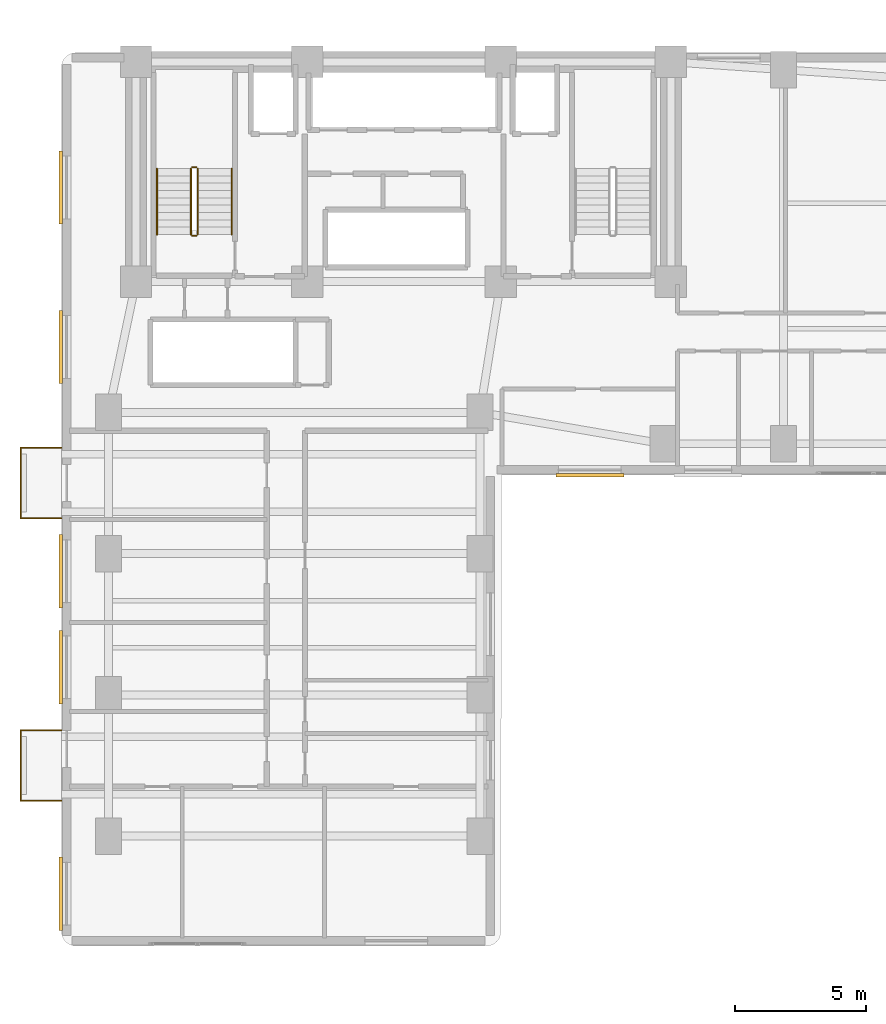
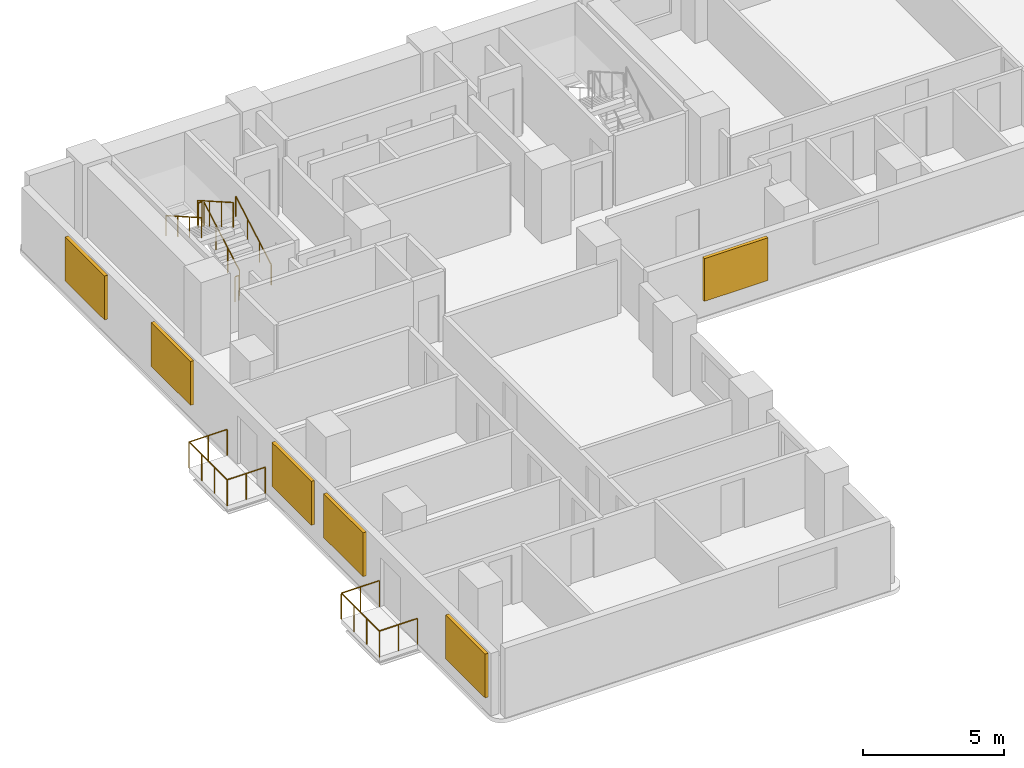
# One storey, part 15 of 18: 12 railings, 6 shading devices.
"""IFC4 building model written with IfcOpenShell, lengths in metres."""

import ifcopenshell
import ifcopenshell.guid

model = None  # the IFC model being written
_history = None  # IfcOwnerHistory: only IFC2X3 demands one
_inside = {}  # id of a spatial element -> (the spatial element, [elements in it])
_under = {}  # id of a project, library or spatial element -> (it, [spatial elements below it])
_declared = {}  # id of a project -> (the project, [libraries it declares])
_typed = {}  # id of a type object -> (the type object, [elements of that type])
_made_of = {}  # id of a material, layer set ... -> (it, [elements and type objects made of it])


def new_model(schema):
    """Start an empty IFC model of exactly this schema.

    Asked for "IFC4X3", IfcOpenShell would pick the latest addendum, in which some entities
    have other attributes; the version numbers below select the first issue.
    IFC2X3 requires an IfcOwnerHistory on every rooted entity: one is made here for all.
    """
    global model, _history
    if schema == "IFC4X3":
        model = ifcopenshell.file(schema_version=(4, 3, 0, 0))
    else:
        model = ifcopenshell.file(schema=schema)
    _inside.clear()
    _under.clear()
    _declared.clear()
    _typed.clear()
    _made_of.clear()
    _history = None
    if model.schema == "IFC2X3":
        org = make("IfcOrganization", Name="unknown")
        user = make(
            "IfcPersonAndOrganization",
            ThePerson=make("IfcPerson", FamilyName="unknown"),
            TheOrganization=org,
        )
        app = make(
            "IfcApplication",
            ApplicationDeveloper=org,
            Version="unknown",
            ApplicationFullName="unknown",
            ApplicationIdentifier="unknown",
        )
        _history = make(
            "IfcOwnerHistory",
            OwningUser=user,
            OwningApplication=app,
            ChangeAction="ADDED",
            CreationDate=0,
        )
    return model


def make(cls, **values):
    """One entity of the class cls with the attributes given. An attribute that is None is left unset."""
    return model.create_entity(
        cls, **{name: value for name, value in values.items() if value is not None}
    )


def rooted(cls, **values):
    """An entity with a GlobalId (a new one), such as an element, a storey or a relation."""
    return make(cls, GlobalId=ifcopenshell.guid.new(), OwnerHistory=_history, **values)


def si_unit(unit_type, name, prefix=None):
    """IfcSIUnit, for example si_unit("LENGTHUNIT", "METRE", prefix="MILLI")."""
    return make("IfcSIUnit", UnitType=unit_type, Prefix=prefix, Name=name)


def assignment(units):
    """IfcUnitAssignment: the units of a project."""
    return None if units is None else make("IfcUnitAssignment", Units=units)


def point(xyz):
    """IfcCartesianPoint."""
    return None if xyz is None else make("IfcCartesianPoint", Coordinates=xyz)


def direction(xyz):
    """IfcDirection."""
    return None if xyz is None else make("IfcDirection", DirectionRatios=xyz)


def frame(location, z_axis=None, x_axis=None):
    """IfcAxis2Placement3D, a coordinate frame: its origin and axes. An axis left out is left unset."""
    return make(
        "IfcAxis2Placement3D",
        Location=point(location),
        Axis=direction(z_axis),
        RefDirection=direction(x_axis),
    )


def frame_2d(location, x_axis=None):
    """IfcAxis2Placement2D, a coordinate frame in the plane: its origin and x axis."""
    return make(
        "IfcAxis2Placement2D", Location=point(location), RefDirection=direction(x_axis)
    )


def origin():
    """The frame at (0, 0, 0) with its axes left unset."""
    return frame((0.0, 0.0, 0.0))


def origin_2d():
    """The frame at (0, 0) in the plane with its x axis left unset."""
    return frame_2d((0.0, 0.0))


def place(relative_to, where):
    """IfcLocalPlacement: puts the frame where relative to a parent placement (None: the world)."""
    return make(
        "IfcLocalPlacement", PlacementRelTo=relative_to, RelativePlacement=where
    )


def context(
    kind, dimensions, precision=None, world=None, true_north=None, identifier=None
):
    """IfcGeometricRepresentationContext, for example the 3D "Model" context."""
    return make(
        "IfcGeometricRepresentationContext",
        ContextIdentifier=identifier,
        ContextType=kind,
        CoordinateSpaceDimension=dimensions,
        Precision=precision,
        WorldCoordinateSystem=world,
        TrueNorth=true_north,
    )


def subcontext(parent, identifier, kind, view, scale=None):
    """IfcGeometricRepresentationSubContext, for example "Body" below "Model"."""
    return make(
        "IfcGeometricRepresentationSubContext",
        ContextIdentifier=identifier,
        ContextType=kind,
        ParentContext=parent,
        TargetScale=scale,
        TargetView=view,
    )


def project(units=None, contexts=None):
    """IfcProject with its units and contexts."""
    return rooted(
        "IfcProject",
        Name="project",
        RepresentationContexts=contexts,
        UnitsInContext=assignment(units),
    )


def spatial(cls, under=None, at=None, **own):
    """A site, building, storey or space (cls), placed at a placement, below another one or the project."""
    s = rooted(cls, ObjectPlacement=at, **own)
    if under is not None:
        _under.setdefault(under.id(), (under, []))[1].append(s)
    return s


def profile(cls, at=None, kind="AREA", **sizes):
    """A parametric profile (cls). Its sizes go by their IFC names, for example OverallWidth=200.0."""
    return make(cls, ProfileType=kind, Position=at, **sizes)


def rectangle(**sizes):
    """IfcRectangleProfileDef."""
    return profile("IfcRectangleProfileDef", **sizes)


def circle(**sizes):
    """IfcCircleProfileDef."""
    return profile("IfcCircleProfileDef", **sizes)


def extrude(swept, where, along, depth):
    """IfcExtrudedAreaSolid: the profile swept, set in the frame where, extruded along a direction by depth."""
    return make(
        "IfcExtrudedAreaSolid",
        SweptArea=swept,
        Position=where,
        ExtrudedDirection=direction(along),
        Depth=depth,
    )


def shape(context_of_items, identifier, shape_type, items):
    """IfcShapeRepresentation: the items that make up one representation, for example the "Body"."""
    return make(
        "IfcShapeRepresentation",
        ContextOfItems=context_of_items,
        RepresentationIdentifier=identifier,
        RepresentationType=shape_type,
        Items=items,
    )


def material(Name=None, Category=None):
    """IfcMaterial."""
    return make("IfcMaterial", Name=Name, Category=Category)


def layer(
    of_material, thickness, ventilated=None, Name=None, Category=None, Priority=None
):
    """IfcMaterialLayer: one layer of a wall or slab, of a material (None: an air gap)."""
    return make(
        "IfcMaterialLayer",
        Material=of_material,
        LayerThickness=thickness,
        IsVentilated=ventilated,
        Name=Name,
        Category=Category,
        Priority=Priority,
    )


def layer_set(layers, Name=None):
    """IfcMaterialLayerSet."""
    return make("IfcMaterialLayerSet", MaterialLayers=layers, LayerSetName=Name)


def made_of(thing, what):
    """Note that an element or type object is made of a material, layer set ...; save() writes the relation."""
    if what is not None:
        _made_of.setdefault(what.id(), (what, []))[1].append(thing)
    return thing


def type_object(cls, material=None, **own):
    """A type object (cls), such as IfcWallType, which elements share."""
    return made_of(rooted(cls, **own), material)


def element(
    cls,
    number,
    at=None,
    inside=None,
    cuts=None,
    type_object=None,
    material=None,
    context=None,
    identifier="Body",
    shape_type=None,
    held_by="IfcProductDefinitionShape",
    body=None,
    shapes=None,
    **own,
):
    """One element of the class cls, such as IfcWall. Its Tag is "e" and its number.

    at: its placement. inside: the storey or other place that contains it. cuts: it is an
    opening in that element (IfcRelVoidsElement). A single representation is given by context,
    identifier, shape_type and body (its items); several are given by shapes. held_by: the class
    of the entity that holds the representations. save() writes the other relations.
    """
    e = rooted(cls, Tag="e%d" % number, ObjectPlacement=at, **own)
    if body is not None:
        shapes = [shape(context, identifier, shape_type, body)]
    if shapes is not None:
        e.Representation = make(held_by, Representations=shapes)
    if inside is not None:
        _inside.setdefault(inside.id(), (inside, []))[1].append(e)
    if cuts is not None:
        rooted(
            "IfcRelVoidsElement", RelatingBuildingElement=cuts, RelatedOpeningElement=e
        )
    if type_object is not None:
        _typed.setdefault(type_object.id(), (type_object, []))[1].append(e)
    return made_of(e, material)


def aggregate(whole, parts):
    """IfcRelAggregates: a whole, such as a stair, and the parts it consists of."""
    return rooted("IfcRelAggregates", RelatingObject=whole, RelatedObjects=parts)


def save(model, path):
    """Write the relations noted so far, then the file.

    IfcRelAggregates (storeys below a building ...), IfcRelContainedInSpatialStructure (elements
    in a storey), IfcRelDefinesByType, IfcRelAssociatesMaterial and IfcRelDeclares: one each for
    every whole, place, type object, material and project.
    """
    for whole, parts in _under.values():
        aggregate(whole, parts)
    for where, things in _inside.values():
        rooted(
            "IfcRelContainedInSpatialStructure",
            RelatedElements=things,
            RelatingStructure=where,
        )
    for kind, things in _typed.values():
        rooted("IfcRelDefinesByType", RelatedObjects=things, RelatingType=kind)
    for what, things in _made_of.values():
        rooted("IfcRelAssociatesMaterial", RelatedObjects=things, RelatingMaterial=what)
    for by, libraries in _declared.values():
        rooted("IfcRelDeclares", RelatingContext=by, RelatedDefinitions=libraries)
    model.write(path)


model = new_model("IFC4")

# Units and contexts
model_context = context("Model", 3, precision=1e-05, world=origin(), true_north=direction((0.0, 1.0)))
body_context = subcontext(model_context, "Body", "Model", "MODEL_VIEW")
ifc_project = project(units=[si_unit("LENGTHUNIT", "METRE"), si_unit("AREAUNIT", "SQUARE_METRE"), si_unit("VOLUMEUNIT", "CUBIC_METRE"), si_unit("PLANEANGLEUNIT", "RADIAN"), si_unit("MASSUNIT", "GRAM", prefix="KILO")], contexts=[model_context])

# Site, building, storey
site_placement = place(None, origin())
site = spatial("IfcSite", under=ifc_project, at=site_placement, CompositionType="ELEMENT")
building_placement = place(site_placement, origin())
building = spatial("IfcBuilding", under=site, at=building_placement, Name="Kuzgunbayir Cultural Tower", CompositionType="ELEMENT")
storey_placement = place(building_placement, frame((0.0, 0.0, 53.199951171875)))
storey = spatial("IfcBuildingStorey", under=building, at=storey_placement, Name="L14", CompositionType="ELEMENT", Elevation=53.199951171875)

# Railings
ifc_material_1 = material(Name="Laminated Glass and Stainless Steel", Category="steel")
ifc_layer_1 = layer(ifc_material_1, 0.080078125)
ifc_layer_set_1 = layer_set([ifc_layer_1], Name="Laminated Glass and Stainless Steel")
railing_type_1 = type_object("IfcRailingType", Name="RLG-BAL-115", PredefinedType="BALUSTRADE", material=ifc_layer_set_1)
railing_1_placement = place(storey_placement, frame((3.60009765625, 13.949951171875, 0.0)))
element("IfcRailing", 1, at=railing_1_placement, inside=storey, type_object=railing_type_1, Name="L14 Balcony Guard BAL-L14-WA1 Segment 1", PredefinedType="BALUSTRADE", context=body_context, shape_type="SweptSolid", body=[
    extrude(circle(Radius=0.02392578125, at=origin_2d()), frame((0.0, 0.0, 1.1259765625), z_axis=(-1.0, 0.0, 0.0), x_axis=(0.0, -1.0, 0.0)), (0.0, 0.0, 1.0), 1.56005859375),
    extrude(circle(Radius=0.02099609375, at=origin_2d()), origin(), (0.0, 0.0, 1.0), 1.101806640625),
    extrude(circle(Radius=0.02099609375, at=origin_2d()), frame((-0.780029296875, 0.0, 0.0)), (0.0, 0.0, 1.0), 1.101806640625),
    extrude(circle(Radius=0.02099609375, at=origin_2d()), frame((-1.56005859375, 0.0, 0.0)), (0.0, 0.0, 1.0), 1.101806640625),
])
railing_2_placement = place(storey_placement, frame((2.0400390625, 13.949951171875, 0.0)))
element("IfcRailing", 2, at=railing_2_placement, inside=storey, type_object=railing_type_1, Name="L14 Balcony Guard BAL-L14-WA1 Segment 2", PredefinedType="BALUSTRADE", context=body_context, shape_type="SweptSolid", body=[
    extrude(circle(Radius=0.02392578125, at=origin_2d()), frame((0.0, 0.0, 1.1259765625), z_axis=(0.0, 1.0, 0.0), x_axis=(-1.0, 0.0, 0.0)), (0.0, 0.0, 1.0), 2.699951171875),
    extrude(circle(Radius=0.02099609375, at=origin_2d()), origin(), (0.0, 0.0, 1.0), 1.101806640625),
    extrude(circle(Radius=0.02099609375, at=origin_2d()), frame((0.0, 0.89990234375, 0.0)), (0.0, 0.0, 1.0), 1.101806640625),
    extrude(circle(Radius=0.02099609375, at=origin_2d()), frame((0.0, 1.800048828125, 0.0)), (0.0, 0.0, 1.0), 1.101806640625),
    extrude(circle(Radius=0.02099609375, at=origin_2d()), frame((0.0, 2.699951171875, 0.0)), (0.0, 0.0, 1.0), 1.101806640625),
])
railing_3_placement = place(storey_placement, frame((2.0400390625, 16.64990234375, 0.0)))
element("IfcRailing", 3, at=railing_3_placement, inside=storey, type_object=railing_type_1, Name="L14 Balcony Guard BAL-L14-WA1 Segment 3", PredefinedType="BALUSTRADE", context=body_context, shape_type="SweptSolid", body=[
    extrude(circle(Radius=0.02392578125, at=origin_2d()), frame((0.0, 0.0, 1.1259765625), z_axis=(1.0, 0.0, 0.0), x_axis=(0.0, 1.0, 0.0)), (0.0, 0.0, 1.0), 1.56005859375),
    extrude(circle(Radius=0.02099609375, at=origin_2d()), origin(), (0.0, 0.0, 1.0), 1.101806640625),
    extrude(circle(Radius=0.02099609375, at=origin_2d()), frame((0.780029296875, 0.0, 0.0)), (0.0, 0.0, 1.0), 1.101806640625),
    extrude(circle(Radius=0.02099609375, at=origin_2d()), frame((1.56005859375, 0.0, 0.0)), (0.0, 0.0, 1.0), 1.101806640625),
])
railing_4_placement = place(storey_placement, frame((3.60009765625, 24.75, 0.0)))
element("IfcRailing", 4, at=railing_4_placement, inside=storey, type_object=railing_type_1, Name="L14 Balcony Guard BAL-L14-WA3 Segment 1", PredefinedType="BALUSTRADE", context=body_context, shape_type="SweptSolid", body=[
    extrude(circle(Radius=0.02392578125, at=origin_2d()), frame((0.0, 0.0, 1.1259765625), z_axis=(-1.0, 0.0, 0.0), x_axis=(0.0, -1.0, 0.0)), (0.0, 0.0, 1.0), 1.56005859375),
    extrude(circle(Radius=0.02099609375, at=origin_2d()), origin(), (0.0, 0.0, 1.0), 1.101806640625),
    extrude(circle(Radius=0.02099609375, at=origin_2d()), frame((-0.780029296875, 0.0, 0.0)), (0.0, 0.0, 1.0), 1.101806640625),
    extrude(circle(Radius=0.02099609375, at=origin_2d()), frame((-1.56005859375, 0.0, 0.0)), (0.0, 0.0, 1.0), 1.101806640625),
])
railing_5_placement = place(storey_placement, frame((2.0400390625, 24.75, 0.0)))
element("IfcRailing", 5, at=railing_5_placement, inside=storey, type_object=railing_type_1, Name="L14 Balcony Guard BAL-L14-WA3 Segment 2", PredefinedType="BALUSTRADE", context=body_context, shape_type="SweptSolid", body=[
    extrude(circle(Radius=0.02392578125, at=origin_2d()), frame((0.0, 0.0, 1.1259765625), z_axis=(0.0, 1.0, 0.0), x_axis=(-1.0, 0.0, 0.0)), (0.0, 0.0, 1.0), 2.699951171875),
    extrude(circle(Radius=0.02099609375, at=origin_2d()), origin(), (0.0, 0.0, 1.0), 1.101806640625),
    extrude(circle(Radius=0.02099609375, at=origin_2d()), frame((0.0, 0.89990234375, 0.0)), (0.0, 0.0, 1.0), 1.101806640625),
    extrude(circle(Radius=0.02099609375, at=origin_2d()), frame((0.0, 1.800048828125, 0.0)), (0.0, 0.0, 1.0), 1.101806640625),
    extrude(circle(Radius=0.02099609375, at=origin_2d()), frame((0.0, 2.699951171875, 0.0)), (0.0, 0.0, 1.0), 1.101806640625),
])
railing_6_placement = place(storey_placement, frame((2.0400390625, 27.449951171875, 0.0)))
element("IfcRailing", 6, at=railing_6_placement, inside=storey, type_object=railing_type_1, Name="L14 Balcony Guard BAL-L14-WA3 Segment 3", PredefinedType="BALUSTRADE", context=body_context, shape_type="SweptSolid", body=[
    extrude(circle(Radius=0.02392578125, at=origin_2d()), frame((0.0, 0.0, 1.1259765625), z_axis=(1.0, 0.0, 0.0), x_axis=(0.0, 1.0, 0.0)), (0.0, 0.0, 1.0), 1.56005859375),
    extrude(circle(Radius=0.02099609375, at=origin_2d()), origin(), (0.0, 0.0, 1.0), 1.101806640625),
    extrude(circle(Radius=0.02099609375, at=origin_2d()), frame((0.780029296875, 0.0, 0.0)), (0.0, 0.0, 1.0), 1.101806640625),
    extrude(circle(Radius=0.02099609375, at=origin_2d()), frame((1.56005859375, 0.0, 0.0)), (0.0, 0.0, 1.0), 1.101806640625),
])
ifc_material_2 = material(Name="Brushed Stainless Steel", Category="steel")
ifc_layer_2 = layer(ifc_material_2, 0.050048828125)
ifc_layer_set_2 = layer_set([ifc_layer_2], Name="Brushed Stainless Steel")
railing_type_2 = type_object("IfcRailingType", Name="RLG-STAIR-HANDRAIL", PredefinedType="HANDRAIL", material=ifc_layer_set_2)
railing_7_placement = place(storey_placement, frame((10.110107421875, 35.60009765625, 0.16015625)))
element("IfcRailing", 7, at=railing_7_placement, inside=storey, type_object=railing_type_2, Name="L14 ST-1 stair handrail 1", PredefinedType="HANDRAIL", context=body_context, shape_type="SweptSolid", body=[
    extrude(circle(Radius=0.02392578125, at=origin_2d()), frame((0.0, 0.0, 0.8759765625), z_axis=(0.0, 0.868253494771, 0.496120820787), x_axis=(-1.0, 0.0, 0.0)), (0.0, 0.0, 1.0), 2.90234375),
    extrude(circle(Radius=0.02099609375, at=origin_2d()), origin(), (0.0, 0.0, 1.0), 0.851806640625),
    extrude(circle(Radius=0.02099609375, at=origin_2d()), frame((0.0, 0.840087890625, 0.47998046875)), (0.0, 0.0, 1.0), 0.851806640625),
    extrude(circle(Radius=0.02099609375, at=origin_2d()), frame((0.0, 1.679931640625, 0.9599609375)), (0.0, 0.0, 1.0), 0.851806640625),
    extrude(circle(Radius=0.02099609375, at=origin_2d()), frame((0.0, 2.52001953125, 1.43994140625)), (0.0, 0.0, 1.0), 0.851806640625),
])
railing_8_placement = place(storey_placement, frame((7.25, 38.1201171875, 1.760009765625)))
element("IfcRailing", 8, at=railing_8_placement, inside=storey, type_object=railing_type_2, Name="L14 ST-1 stair handrail 2", PredefinedType="HANDRAIL", context=body_context, shape_type="SweptSolid", body=[
    extrude(circle(Radius=0.02392578125, at=origin_2d()), frame((0.0, 0.0, 0.8759765625), z_axis=(0.0, -0.868253494771, 0.496120820787), x_axis=(1.0, 0.0, 0.0)), (0.0, 0.0, 1.0), 2.90234375),
    extrude(circle(Radius=0.02099609375, at=origin_2d()), origin(), (0.0, 0.0, 1.0), 0.851806640625),
    extrude(circle(Radius=0.02099609375, at=origin_2d()), frame((0.0, -0.840087890625, 0.47998046875)), (0.0, 0.0, 1.0), 0.851806640625),
    extrude(circle(Radius=0.02099609375, at=origin_2d()), frame((0.0, -1.679931640625, 0.9599609375)), (0.0, 0.0, 1.0), 0.851806640625),
    extrude(circle(Radius=0.02099609375, at=origin_2d()), frame((0.0, -2.52001953125, 1.43994140625)), (0.0, 0.0, 1.0), 0.851806640625),
])
ifc_material_3 = material(Name="Painted Steel Balustrade", Category="steel")
ifc_layer_3 = layer(ifc_material_3, 0.06005859375)
ifc_layer_set_3 = layer_set([ifc_layer_3], Name="Painted Steel Balustrade")
railing_type_3 = type_object("IfcRailingType", Name="RLG-WELL-GUARD", PredefinedType="GUARDRAIL", material=ifc_layer_set_3)
railing_9_placement = place(storey_placement, frame((8.81005859375, 35.60009765625, 0.16015625)))
element("IfcRailing", 9, at=railing_9_placement, inside=storey, type_object=railing_type_3, Name="L14 ST-1 stair guard 1", PredefinedType="GUARDRAIL", context=body_context, shape_type="SweptSolid", body=[
    extrude(circle(Radius=0.02392578125, at=origin_2d()), frame((0.0, 0.0, 1.076171875), z_axis=(0.0, 0.868253494771, 0.496120820787), x_axis=(-1.0, 0.0, 0.0)), (0.0, 0.0, 1.0), 2.90234375),
    extrude(circle(Radius=0.02099609375, at=origin_2d()), origin(), (0.0, 0.0, 1.0), 1.052001953125),
    extrude(circle(Radius=0.02099609375, at=origin_2d()), frame((0.0, 0.840087890625, 0.47998046875)), (0.0, 0.0, 1.0), 1.052001953125),
    extrude(circle(Radius=0.02099609375, at=origin_2d()), frame((0.0, 1.679931640625, 0.9599609375)), (0.0, 0.0, 1.0), 1.052001953125),
    extrude(circle(Radius=0.02099609375, at=origin_2d()), frame((0.0, 2.52001953125, 1.43994140625)), (0.0, 0.0, 1.0), 1.052001953125),
])
railing_10_placement = place(storey_placement, frame((8.760009765625, 38.169921875, 1.60009765625)))
element("IfcRailing", 10, at=railing_10_placement, inside=storey, type_object=railing_type_3, Name="L14 ST-1 stair guard 2", PredefinedType="GUARDRAIL", context=body_context, shape_type="SweptSolid", body=[
    extrude(circle(Radius=0.02392578125, at=origin_2d()), frame((0.0, 0.0, 1.076171875), z_axis=(-1.0, 0.0, 0.0), x_axis=(0.0, -1.0, 0.0)), (0.0, 0.0, 1.0), 0.159912109375),
    extrude(circle(Radius=0.02099609375, at=origin_2d()), origin(), (0.0, 0.0, 1.0), 1.052001953125),
    extrude(circle(Radius=0.02099609375, at=origin_2d()), frame((-0.159912109375, 0.0, 0.0)), (0.0, 0.0, 1.0), 1.052001953125),
])
railing_11_placement = place(storey_placement, frame((8.550048828125, 38.1201171875, 1.760009765625)))
element("IfcRailing", 11, at=railing_11_placement, inside=storey, type_object=railing_type_3, Name="L14 ST-1 stair guard 3", PredefinedType="GUARDRAIL", context=body_context, shape_type="SweptSolid", body=[
    extrude(circle(Radius=0.02392578125, at=origin_2d()), frame((0.0, 0.0, 1.076171875), z_axis=(0.0, -0.868253494771, 0.496120820787), x_axis=(1.0, 0.0, 0.0)), (0.0, 0.0, 1.0), 2.90234375),
    extrude(circle(Radius=0.02099609375, at=origin_2d()), origin(), (0.0, 0.0, 1.0), 1.052001953125),
    extrude(circle(Radius=0.02099609375, at=origin_2d()), frame((0.0, -0.840087890625, 0.47998046875)), (0.0, 0.0, 1.0), 1.052001953125),
    extrude(circle(Radius=0.02099609375, at=origin_2d()), frame((0.0, -1.679931640625, 0.9599609375)), (0.0, 0.0, 1.0), 1.052001953125),
    extrude(circle(Radius=0.02099609375, at=origin_2d()), frame((0.0, -2.52001953125, 1.43994140625)), (0.0, 0.0, 1.0), 1.052001953125),
])
railing_12_placement = place(storey_placement, frame((8.760009765625, 35.550048828125, 0.0)))
element("IfcRailing", 12, at=railing_12_placement, inside=storey, type_object=railing_type_3, Name="L14 ST-1 stair guard 4", PredefinedType="GUARDRAIL", context=body_context, shape_type="SweptSolid", body=[
    extrude(circle(Radius=0.02392578125, at=origin_2d()), frame((0.0, 0.0, 1.076171875), z_axis=(-1.0, 0.0, 0.0), x_axis=(0.0, -1.0, 0.0)), (0.0, 0.0, 1.0), 0.159912109375),
    extrude(circle(Radius=0.02099609375, at=origin_2d()), origin(), (0.0, 0.0, 1.0), 1.052001953125),
    extrude(circle(Radius=0.02099609375, at=origin_2d()), frame((-0.159912109375, 0.0, 0.0)), (0.0, 0.0, 1.0), 1.052001953125),
])

# Shading devices
ifc_material_4 = material(Name="Perforated Bronze-Anodised Aluminium", Category="aluminium")
shading_device_type = type_object("IfcShadingDeviceType", Name="SHD-SOLAR-BRONZE", PredefinedType="JALOUSIE", material=ifc_material_4)
shading_device_placement = place(storey_placement, frame((23.800048828125, 26.389892578125, 0.735107421875), z_axis=(0.0, 0.0, 1.0), x_axis=(1.0, 0.0, 0.0)))
element("IfcShadingDevice", 13, at=shading_device_placement, inside=storey, type_object=shading_device_type, Name="L14 Solar Screen WBS1", PredefinedType="JALOUSIE", context=body_context, shape_type="SweptSolid", body=[
    extrude(rectangle(XDim=2.60009765625, YDim=0.139892578125, at=origin_2d()), origin(), (0.0, 0.0, 1.0), 1.85009765625),
])
for number, where, z_axis, x_axis, name in (
    (14, (3.580078125, 19.06005859375, 0.710205078125), (0.0, 0.0, 1.0), (1.0, 0.0, 0.0), "L14 Perforated Bronze Solar Screen WAW2"),
    (15, (3.580078125, 22.72998046875, 0.710205078125), (0.0, 0.0, 1.0), (1.0, 0.0, 0.0), "L14 Perforated Bronze Solar Screen WAW3"),
    (16, (3.580078125, 10.39990234375, 0.710205078125), (0.0, 0.0, 1.0), (1.0, 0.0, 0.0), "L14 Perforated Bronze Solar Screen WAW7"),
    (17, (3.580078125, 31.300048828125, 0.710205078125), (0.0, 0.0, 1.0), (1.0, 0.0, 0.0), "L14 Perforated Bronze Solar Screen WAW8"),
    (18, (3.580078125, 37.39990234375, 0.710205078125), (0.0, 0.0, 1.0), (1.0, 0.0, 0.0), "L14 Perforated Bronze Solar Screen WAW9"),
):
    element("IfcShadingDevice", number, at=place(storey_placement, frame(where, z_axis=z_axis, x_axis=x_axis)), inside=storey, type_object=shading_device_type, Name=name, PredefinedType="JALOUSIE", context=body_context, shape_type="SweptSolid", body=[
        extrude(rectangle(XDim=0.139892578125, YDim=2.800048828125, at=origin_2d()), origin(), (0.0, 0.0, 1.0), 1.89990234375),
    ])

save(model, "model.ifc")
